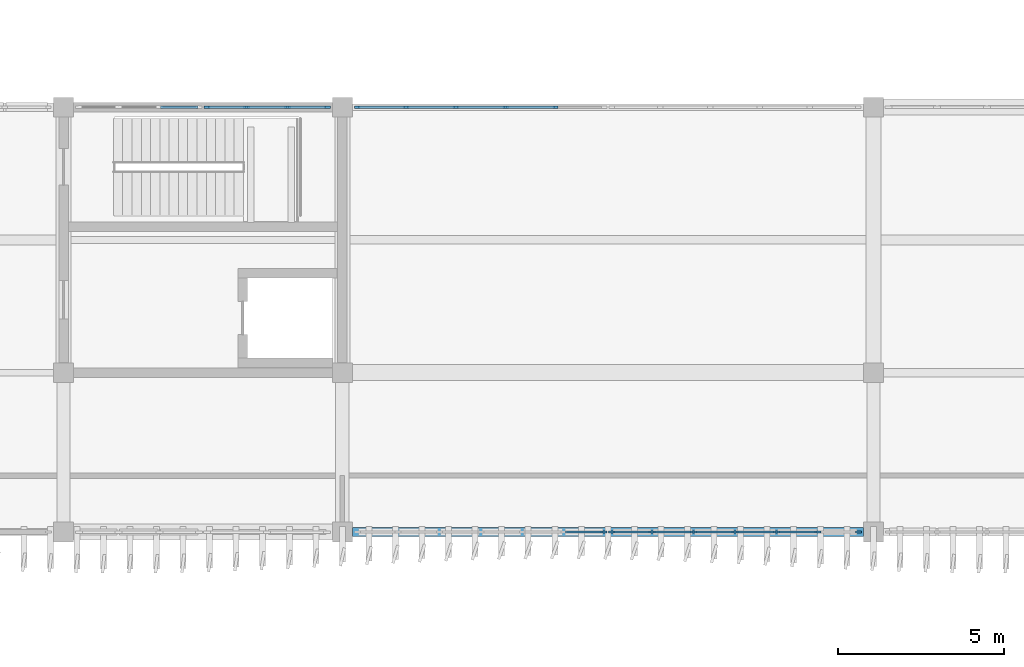
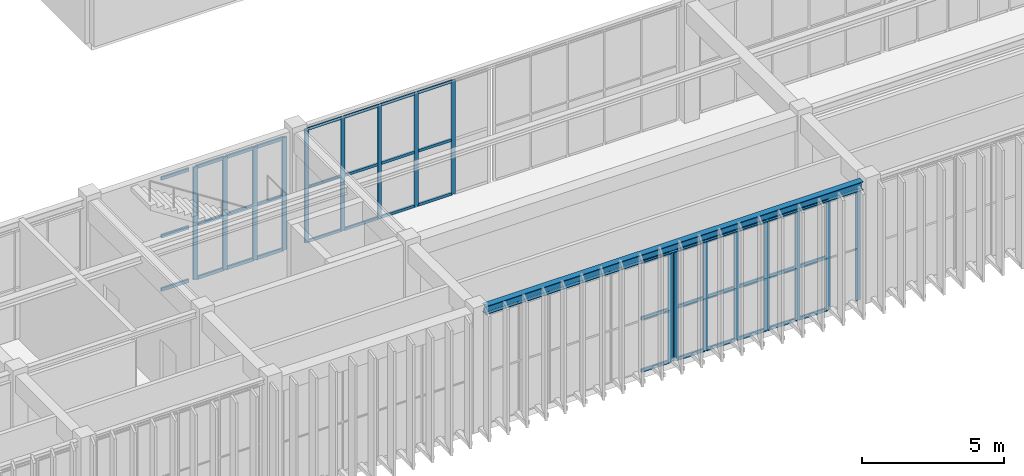
# One storey, part 15 of 64: 59 members, 1 beam, 5 elements without a shape of their own.
"""IFC4 building model written with IfcOpenShell, lengths in metres."""

from ifc_helpers import new_model, si_unit, direction, frame, origin, origin_2d, place, context, subcontext, project, spatial, rectangle, i_section, extrude, material, layer, layer_set, material_profile, profile_set, type_object, element, aggregate, save


model = new_model("IFC4")

# Units and contexts
model_context = context("Model", 3, precision=1e-05, world=origin(), true_north=direction((0.0, 1.0)))
body_context = subcontext(model_context, "Body", "Model", "MODEL_VIEW")
ifc_project = project(units=[si_unit("LENGTHUNIT", "METRE"), si_unit("AREAUNIT", "SQUARE_METRE"), si_unit("VOLUMEUNIT", "CUBIC_METRE"), si_unit("PLANEANGLEUNIT", "RADIAN"), si_unit("MASSUNIT", "GRAM", prefix="KILO")], contexts=[model_context])

# Site, building, storey
site_placement = place(None, origin())
site = spatial("IfcSite", under=ifc_project, at=site_placement, CompositionType="ELEMENT")
building_placement = place(site_placement, origin())
building = spatial("IfcBuilding", under=site, at=building_placement, Name="Cinchona Park Media Centre", CompositionType="ELEMENT")
storey_placement = place(building_placement, frame((0.0, 0.0, 10.199951171875)))
storey = spatial("IfcBuildingStorey", under=building, at=storey_placement, Name="L02", CompositionType="ELEMENT", Elevation=10.199951171875)

# Beam
ifc_material_1 = material(Name="Steel S355", Category="steel")
ifc_material_profile_1 = material_profile(ifc_material_1, i_section(OverallWidth=0.257080078125, OverallDepth=0.363037109375, WebThickness=0.012939453125, FlangeThickness=0.021728515625, at=origin_2d()), Name="W360X122")
ifc_profile_set_1 = profile_set([ifc_material_profile_1], Name="Steel S355")
beam_type = type_object("IfcBeamType", Name="BEAM-B08-W360X122", PredefinedType="BEAM", material=ifc_profile_set_1)
beam_placement = place(storey_placement, frame((95.10009765625, 74.800048828125, 4.978515625), z_axis=(1.0, 0.0, 0.0), x_axis=(0.0, 1.0, 0.0)))
element("IfcBeam", 1, at=beam_placement, inside=storey, type_object=beam_type, Name="Beam B08 L02", PredefinedType="BEAM", context=body_context, shape_type="SweptSolid", body=[
    extrude(i_section(OverallWidth=0.257080078125, OverallDepth=0.363037109375, WebThickness=0.012939453125, FlangeThickness=0.021728515625, at=origin_2d()), origin(), (0.0, 0.0, 1.0), 15.39990234375),
])

# Curtain wall, members
ifc_material_2 = material(Name="Aluminium Curtain Wall Framing", Category="aluminium")
ifc_layer_1 = layer(ifc_material_2, 0.27001953125)
ifc_layer_set_1 = layer_set([ifc_layer_1], Name="Aluminium Curtain Wall Framing")
curtain_wall_type_1 = type_object("IfcCurtainWallType", Name="CW-CW07", PredefinedType="USERDEFINED", material=ifc_layer_set_1)
curtain_wall_1_placement = place(storey_placement, origin())
curtain_wall_1 = element("IfcCurtainWall", 2, at=curtain_wall_1_placement, inside=storey, type_object=curtain_wall_type_1, Name="Curtain Wall CW07 L02", ObjectType="UNITISED CURTAIN WALL", PredefinedType="USERDEFINED")
ifc_material_3 = material(Name="Anodised Aluminium Alloy 6063-T6", Category="aluminium")
ifc_material_profile_2 = material_profile(ifc_material_3, rectangle(XDim=0.06494140625, YDim=0.159912109375, at=origin_2d()), Name="MUL-65X160")
ifc_profile_set_2 = profile_set([ifc_material_profile_2], Name="Anodised Aluminium Alloy 6063-T6")
member_type_1 = type_object("IfcMemberType", Name="MULLION-MUL01", PredefinedType="MULLION", material=ifc_profile_set_2)
member_1_placement = place(storey_placement, frame((95.25244140625, 87.60009765625, 0.050048828125), z_axis=(0.0, 0.0, 1.0), x_axis=(0.0, 1.0, 0.0)))
member_1 = element("IfcMember", 3, at=member_1_placement, type_object=member_type_1, Name="CW07 mullion 1", PredefinedType="MULLION", context=body_context, shape_type="SweptSolid", body=[
    extrude(rectangle(XDim=0.06494140625, YDim=0.159912109375, at=origin_2d()), origin(), (0.0, 0.0, 1.0), 4.906982421875),
])
member_2_placement = place(storey_placement, frame((96.719970703125, 87.60009765625, 0.050048828125), z_axis=(0.0, 0.0, 1.0), x_axis=(0.0, 1.0, 0.0)))
member_2 = element("IfcMember", 4, at=member_2_placement, type_object=member_type_1, Name="CW07 mullion 2", PredefinedType="MULLION", context=body_context, shape_type="SweptSolid", body=[
    extrude(rectangle(XDim=0.06494140625, YDim=0.159912109375, at=origin_2d()), origin(), (0.0, 0.0, 1.0), 4.906982421875),
])
member_3_placement = place(storey_placement, frame((98.219970703125, 87.60009765625, 0.050048828125), z_axis=(0.0, 0.0, 1.0), x_axis=(0.0, 1.0, 0.0)))
member_3 = element("IfcMember", 5, at=member_3_placement, type_object=member_type_1, Name="CW07 mullion 3", PredefinedType="MULLION", context=body_context, shape_type="SweptSolid", body=[
    extrude(rectangle(XDim=0.06494140625, YDim=0.159912109375, at=origin_2d()), origin(), (0.0, 0.0, 1.0), 4.906982421875),
])
member_4_placement = place(storey_placement, frame((99.719970703125, 87.60009765625, 0.050048828125), z_axis=(0.0, 0.0, 1.0), x_axis=(0.0, 1.0, 0.0)))
member_4 = element("IfcMember", 6, at=member_4_placement, type_object=member_type_1, Name="CW07 mullion 4", PredefinedType="MULLION", context=body_context, shape_type="SweptSolid", body=[
    extrude(rectangle(XDim=0.06494140625, YDim=0.159912109375, at=origin_2d()), origin(), (0.0, 0.0, 1.0), 4.906982421875),
])
member_5_placement = place(storey_placement, frame((101.219970703125, 87.60009765625, 0.050048828125), z_axis=(0.0, 0.0, 1.0), x_axis=(0.0, 1.0, 0.0)))
member_5 = element("IfcMember", 7, at=member_5_placement, type_object=member_type_1, Name="CW07 mullion 5", PredefinedType="MULLION", context=body_context, shape_type="SweptSolid", body=[
    extrude(rectangle(XDim=0.06494140625, YDim=0.159912109375, at=origin_2d()), origin(), (0.0, 0.0, 1.0), 4.906982421875),
])

ifc_material_4 = material(Name="Aluminium Curtain Wall Framing", Category="aluminium")
ifc_layer_2 = layer(ifc_material_4, 0.2548828125)
ifc_layer_set_2 = layer_set([ifc_layer_2], Name="Aluminium Curtain Wall Framing")
curtain_wall_type_2 = type_object("IfcCurtainWallType", Name="CW-CW06", PredefinedType="USERDEFINED", material=ifc_layer_set_2)
curtain_wall_2_placement = place(storey_placement, origin())
curtain_wall_2 = element("IfcCurtainWall", 8, at=curtain_wall_2_placement, inside=storey, type_object=curtain_wall_type_2, Name="Curtain Wall CW06 L02", ObjectType="UNITISED CURTAIN WALL", PredefinedType="USERDEFINED")
ifc_material_5 = material(Name="Anodised Aluminium Alloy 6063-T6", Category="aluminium")
ifc_material_profile_3 = material_profile(ifc_material_5, rectangle(XDim=0.070068359375, YDim=0.179931640625, at=origin_2d()), Name="MUL-70X180")
ifc_profile_set_3 = profile_set([ifc_material_profile_3], Name="Anodised Aluminium Alloy 6063-T6")
member_type_2 = type_object("IfcMemberType", Name="MULLION-MUL02", PredefinedType="MULLION", material=ifc_profile_set_3)
member_6_placement = place(storey_placement, frame((90.715087890625, 87.60009765625, 0.050048828125), z_axis=(0.0, 0.0, 1.0), x_axis=(0.0, 1.0, 0.0)))
member_6 = element("IfcMember", 9, at=member_6_placement, type_object=member_type_2, Name="CW06 mullion 1", PredefinedType="MULLION", context=body_context, shape_type="SweptSolid", body=[
    extrude(rectangle(XDim=0.070068359375, YDim=0.179931640625, at=origin_2d()), origin(), (0.0, 0.0, 1.0), 4.85791015625),
])
member_7_placement = place(storey_placement, frame((91.913330078125, 87.60009765625, 0.050048828125), z_axis=(0.0, 0.0, 1.0), x_axis=(0.0, 1.0, 0.0)))
member_7 = element("IfcMember", 10, at=member_7_placement, type_object=member_type_2, Name="CW06 mullion 2", PredefinedType="MULLION", context=body_context, shape_type="SweptSolid", body=[
    extrude(rectangle(XDim=0.070068359375, YDim=0.179931640625, at=origin_2d()), origin(), (0.0, 0.0, 1.0), 4.85791015625),
])
member_8_placement = place(storey_placement, frame((93.146728515625, 87.60009765625, 0.050048828125), z_axis=(0.0, 0.0, 1.0), x_axis=(0.0, 1.0, 0.0)))
member_8 = element("IfcMember", 11, at=member_8_placement, type_object=member_type_2, Name="CW06 mullion 3", PredefinedType="MULLION", context=body_context, shape_type="SweptSolid", body=[
    extrude(rectangle(XDim=0.070068359375, YDim=0.179931640625, at=origin_2d()), origin(), (0.0, 0.0, 1.0), 4.85791015625),
])
member_9_placement = place(storey_placement, frame((94.344970703125, 87.60009765625, 0.050048828125), z_axis=(0.0, 0.0, 1.0), x_axis=(0.0, 1.0, 0.0)))
member_9 = element("IfcMember", 12, at=member_9_placement, type_object=member_type_2, Name="CW06 mullion 4", PredefinedType="MULLION", context=body_context, shape_type="SweptSolid", body=[
    extrude(rectangle(XDim=0.070068359375, YDim=0.179931640625, at=origin_2d()), origin(), (0.0, 0.0, 1.0), 4.85791015625),
])

ifc_material_6 = material(Name="Aluminium Curtain Wall Framing", Category="aluminium")
ifc_layer_3 = layer(ifc_material_6, 0.195068359375)
ifc_layer_set_3 = layer_set([ifc_layer_3], Name="Aluminium Curtain Wall Framing")
curtain_wall_type_3 = type_object("IfcCurtainWallType", Name="CW-CW02", PredefinedType="USERDEFINED", material=ifc_layer_set_3)
curtain_wall_3_placement = place(storey_placement, origin())
curtain_wall_3 = element("IfcCurtainWall", 13, at=curtain_wall_3_placement, inside=storey, type_object=curtain_wall_type_3, Name="Curtain Wall CW02 L02", ObjectType="UNITISED CURTAIN WALL", PredefinedType="USERDEFINED")
member_10_placement = place(storey_placement, frame((110.344970703125, 74.800048828125, 0.050048828125), z_axis=(0.0, 0.0, 1.0), x_axis=(0.0, -1.0, 0.0)))
member_10 = element("IfcMember", 14, at=member_10_placement, type_object=member_type_2, Name="CW02 mullion 1", PredefinedType="MULLION", context=body_context, shape_type="SweptSolid", body=[
    extrude(rectangle(XDim=0.070068359375, YDim=0.179931640625, at=origin_2d()), origin(), (0.0, 0.0, 1.0), 4.7470703125),
])
member_11_placement = place(storey_placement, frame((109.1298828125, 74.800048828125, 0.050048828125), z_axis=(0.0, 0.0, 1.0), x_axis=(0.0, -1.0, 0.0)))
member_11 = element("IfcMember", 15, at=member_11_placement, type_object=member_type_2, Name="CW02 mullion 2", PredefinedType="MULLION", context=body_context, shape_type="SweptSolid", body=[
    extrude(rectangle(XDim=0.070068359375, YDim=0.179931640625, at=origin_2d()), origin(), (0.0, 0.0, 1.0), 4.7470703125),
])
member_12_placement = place(storey_placement, frame((107.8798828125, 74.800048828125, 0.050048828125), z_axis=(0.0, 0.0, 1.0), x_axis=(0.0, -1.0, 0.0)))
member_12 = element("IfcMember", 16, at=member_12_placement, type_object=member_type_2, Name="CW02 mullion 3", PredefinedType="MULLION", context=body_context, shape_type="SweptSolid", body=[
    extrude(rectangle(XDim=0.070068359375, YDim=0.179931640625, at=origin_2d()), origin(), (0.0, 0.0, 1.0), 4.7470703125),
])
member_13_placement = place(storey_placement, frame((106.6298828125, 74.800048828125, 0.050048828125), z_axis=(0.0, 0.0, 1.0), x_axis=(0.0, -1.0, 0.0)))
member_13 = element("IfcMember", 17, at=member_13_placement, type_object=member_type_2, Name="CW02 mullion 4", PredefinedType="MULLION", context=body_context, shape_type="SweptSolid", body=[
    extrude(rectangle(XDim=0.070068359375, YDim=0.179931640625, at=origin_2d()), origin(), (0.0, 0.0, 1.0), 4.7470703125),
])
member_14_placement = place(storey_placement, frame((105.3798828125, 74.800048828125, 0.050048828125), z_axis=(0.0, 0.0, 1.0), x_axis=(0.0, -1.0, 0.0)))
member_14 = element("IfcMember", 18, at=member_14_placement, type_object=member_type_2, Name="CW02 mullion 5", PredefinedType="MULLION", context=body_context, shape_type="SweptSolid", body=[
    extrude(rectangle(XDim=0.070068359375, YDim=0.179931640625, at=origin_2d()), origin(), (0.0, 0.0, 1.0), 4.7470703125),
])
member_15_placement = place(storey_placement, frame((104.1298828125, 74.800048828125, 0.050048828125), z_axis=(0.0, 0.0, 1.0), x_axis=(0.0, -1.0, 0.0)))
member_15 = element("IfcMember", 19, at=member_15_placement, type_object=member_type_2, Name="CW02 mullion 6", PredefinedType="MULLION", context=body_context, shape_type="SweptSolid", body=[
    extrude(rectangle(XDim=0.070068359375, YDim=0.179931640625, at=origin_2d()), origin(), (0.0, 0.0, 1.0), 4.7470703125),
])
member_16_placement = place(storey_placement, frame((102.9150390625, 74.800048828125, 0.050048828125), z_axis=(0.0, 0.0, 1.0), x_axis=(0.0, -1.0, 0.0)))
member_16 = element("IfcMember", 20, at=member_16_placement, type_object=member_type_2, Name="CW02 mullion 7", PredefinedType="MULLION", context=body_context, shape_type="SweptSolid", body=[
    extrude(rectangle(XDim=0.070068359375, YDim=0.179931640625, at=origin_2d()), origin(), (0.0, 0.0, 1.0), 4.7470703125),
])

# Curtain wall, member
ifc_material_7 = material(Name="Aluminium Curtain Wall Framing", Category="aluminium")
ifc_layer_4 = layer(ifc_material_7, 0.2099609375)
ifc_layer_set_4 = layer_set([ifc_layer_4], Name="Aluminium Curtain Wall Framing")
curtain_wall_type_4 = type_object("IfcCurtainWallType", Name="CW-CW03", PredefinedType="USERDEFINED", material=ifc_layer_set_4)
curtain_wall_4_placement = place(storey_placement, origin())
curtain_wall_4 = element("IfcCurtainWall", 21, at=curtain_wall_4_placement, inside=storey, type_object=curtain_wall_type_4, Name="Curtain Wall CW03 L02", ObjectType="UNITISED CURTAIN WALL", PredefinedType="USERDEFINED")
member_17_placement = place(storey_placement, frame((102.68505859375, 74.800048828125, 0.050048828125), z_axis=(0.0, 0.0, 1.0), x_axis=(0.0, -1.0, 0.0)))
member_17 = element("IfcMember", 22, at=member_17_placement, type_object=member_type_2, Name="CW03 mullion 1", PredefinedType="MULLION", context=body_context, shape_type="SweptSolid", body=[
    extrude(rectangle(XDim=0.070068359375, YDim=0.179931640625, at=origin_2d()), origin(), (0.0, 0.0, 1.0), 4.7470703125),
])

# Member
ifc_material_8 = material(Name="Anodised Aluminium Alloy 6063-T6", Category="aluminium")
ifc_material_profile_4 = material_profile(ifc_material_8, rectangle(XDim=0.06494140625, YDim=0.1201171875, at=origin_2d()), Name="TRN-65X120")
ifc_profile_set_4 = profile_set([ifc_material_profile_4], Name="Anodised Aluminium Alloy 6063-T6")
member_type_3 = type_object("IfcMemberType", Name="TRANSOM-TRN01", PredefinedType="USERDEFINED", material=ifc_profile_set_4)
member_18_placement = place(storey_placement, frame((95.284912109375, 87.60009765625, 0.08251953125), z_axis=(1.0, 0.0, 0.0), x_axis=(0.0, 1.0, 0.0)))
member_18 = element("IfcMember", 23, at=member_18_placement, type_object=member_type_3, Name="CW07 transom 1.1", ObjectType="TRANSOM", PredefinedType="USERDEFINED", context=body_context, shape_type="SweptSolid", body=[
    extrude(rectangle(XDim=0.06494140625, YDim=0.1201171875, at=origin_2d()), origin(), (0.0, 0.0, 1.0), 1.402587890625),
])

member_19_placement = place(storey_placement, frame((95.284912109375, 87.60009765625, 2.405029296875), z_axis=(1.0, 0.0, 0.0), x_axis=(0.0, 1.0, 0.0)))
member_19 = element("IfcMember", 24, at=member_19_placement, type_object=member_type_3, Name="CW07 transom 1.2", ObjectType="TRANSOM", PredefinedType="USERDEFINED", context=body_context, shape_type="SweptSolid", body=[
    extrude(rectangle(XDim=0.06494140625, YDim=0.1201171875, at=origin_2d()), origin(), (0.0, 0.0, 1.0), 1.402587890625),
])

member_20_placement = place(storey_placement, frame((95.284912109375, 87.60009765625, 4.924560546875), z_axis=(1.0, 0.0, 0.0), x_axis=(0.0, 1.0, 0.0)))
member_20 = element("IfcMember", 25, at=member_20_placement, type_object=member_type_3, Name="CW07 transom 1.3", ObjectType="TRANSOM", PredefinedType="USERDEFINED", context=body_context, shape_type="SweptSolid", body=[
    extrude(rectangle(XDim=0.06494140625, YDim=0.1201171875, at=origin_2d()), origin(), (0.0, 0.0, 1.0), 1.402587890625),
])

member_21_placement = place(storey_placement, frame((96.75244140625, 87.60009765625, 0.08251953125), z_axis=(1.0, 0.0, 0.0), x_axis=(0.0, 1.0, 0.0)))
member_21 = element("IfcMember", 26, at=member_21_placement, type_object=member_type_3, Name="CW07 transom 2.1", ObjectType="TRANSOM", PredefinedType="USERDEFINED", context=body_context, shape_type="SweptSolid", body=[
    extrude(rectangle(XDim=0.06494140625, YDim=0.1201171875, at=origin_2d()), origin(), (0.0, 0.0, 1.0), 1.43505859375),
])

member_22_placement = place(storey_placement, frame((96.75244140625, 87.60009765625, 2.405029296875), z_axis=(1.0, 0.0, 0.0), x_axis=(0.0, 1.0, 0.0)))
member_22 = element("IfcMember", 27, at=member_22_placement, type_object=member_type_3, Name="CW07 transom 2.2", ObjectType="TRANSOM", PredefinedType="USERDEFINED", context=body_context, shape_type="SweptSolid", body=[
    extrude(rectangle(XDim=0.06494140625, YDim=0.1201171875, at=origin_2d()), origin(), (0.0, 0.0, 1.0), 1.43505859375),
])

member_23_placement = place(storey_placement, frame((96.75244140625, 87.60009765625, 4.924560546875), z_axis=(1.0, 0.0, 0.0), x_axis=(0.0, 1.0, 0.0)))
member_23 = element("IfcMember", 28, at=member_23_placement, type_object=member_type_3, Name="CW07 transom 2.3", ObjectType="TRANSOM", PredefinedType="USERDEFINED", context=body_context, shape_type="SweptSolid", body=[
    extrude(rectangle(XDim=0.06494140625, YDim=0.1201171875, at=origin_2d()), origin(), (0.0, 0.0, 1.0), 1.43505859375),
])

member_24_placement = place(storey_placement, frame((98.25244140625, 87.60009765625, 0.08251953125), z_axis=(1.0, 0.0, 0.0), x_axis=(0.0, 1.0, 0.0)))
member_24 = element("IfcMember", 29, at=member_24_placement, type_object=member_type_3, Name="CW07 transom 3.1", ObjectType="TRANSOM", PredefinedType="USERDEFINED", context=body_context, shape_type="SweptSolid", body=[
    extrude(rectangle(XDim=0.06494140625, YDim=0.1201171875, at=origin_2d()), origin(), (0.0, 0.0, 1.0), 1.43505859375),
])

member_25_placement = place(storey_placement, frame((98.25244140625, 87.60009765625, 2.405029296875), z_axis=(1.0, 0.0, 0.0), x_axis=(0.0, 1.0, 0.0)))
member_25 = element("IfcMember", 30, at=member_25_placement, type_object=member_type_3, Name="CW07 transom 3.2", ObjectType="TRANSOM", PredefinedType="USERDEFINED", context=body_context, shape_type="SweptSolid", body=[
    extrude(rectangle(XDim=0.06494140625, YDim=0.1201171875, at=origin_2d()), origin(), (0.0, 0.0, 1.0), 1.43505859375),
])

member_26_placement = place(storey_placement, frame((98.25244140625, 87.60009765625, 4.924560546875), z_axis=(1.0, 0.0, 0.0), x_axis=(0.0, 1.0, 0.0)))
member_26 = element("IfcMember", 31, at=member_26_placement, type_object=member_type_3, Name="CW07 transom 3.3", ObjectType="TRANSOM", PredefinedType="USERDEFINED", context=body_context, shape_type="SweptSolid", body=[
    extrude(rectangle(XDim=0.06494140625, YDim=0.1201171875, at=origin_2d()), origin(), (0.0, 0.0, 1.0), 1.43505859375),
])

member_27_placement = place(storey_placement, frame((99.75244140625, 87.60009765625, 0.08251953125), z_axis=(1.0, 0.0, 0.0), x_axis=(0.0, 1.0, 0.0)))
member_27 = element("IfcMember", 32, at=member_27_placement, type_object=member_type_3, Name="CW07 transom 4.1", ObjectType="TRANSOM", PredefinedType="USERDEFINED", context=body_context, shape_type="SweptSolid", body=[
    extrude(rectangle(XDim=0.06494140625, YDim=0.1201171875, at=origin_2d()), origin(), (0.0, 0.0, 1.0), 1.43505859375),
])

member_28_placement = place(storey_placement, frame((99.75244140625, 87.60009765625, 2.405029296875), z_axis=(1.0, 0.0, 0.0), x_axis=(0.0, 1.0, 0.0)))
member_28 = element("IfcMember", 33, at=member_28_placement, type_object=member_type_3, Name="CW07 transom 4.2", ObjectType="TRANSOM", PredefinedType="USERDEFINED", context=body_context, shape_type="SweptSolid", body=[
    extrude(rectangle(XDim=0.06494140625, YDim=0.1201171875, at=origin_2d()), origin(), (0.0, 0.0, 1.0), 1.43505859375),
])

member_29_placement = place(storey_placement, frame((99.75244140625, 87.60009765625, 4.924560546875), z_axis=(1.0, 0.0, 0.0), x_axis=(0.0, 1.0, 0.0)))
member_29 = element("IfcMember", 34, at=member_29_placement, type_object=member_type_3, Name="CW07 transom 4.3", ObjectType="TRANSOM", PredefinedType="USERDEFINED", context=body_context, shape_type="SweptSolid", body=[
    extrude(rectangle(XDim=0.06494140625, YDim=0.1201171875, at=origin_2d()), origin(), (0.0, 0.0, 1.0), 1.43505859375),
])

aggregate(curtain_wall_1, [member_1, member_2, member_3, member_4, member_5, member_18, member_19, member_20, member_21, member_22, member_23, member_24, member_25, member_26, member_27, member_28, member_29])

# Curtain wall, members
ifc_material_9 = material(Name="Aluminium Curtain Wall Framing", Category="aluminium")
ifc_layer_5 = layer(ifc_material_9, 0.239990234375)
ifc_layer_set_5 = layer_set([ifc_layer_5], Name="Aluminium Curtain Wall Framing")
curtain_wall_type_5 = type_object("IfcCurtainWallType", Name="CW-CW05", PredefinedType="USERDEFINED", material=ifc_layer_set_5)
curtain_wall_5_placement = place(storey_placement, origin())
curtain_wall_5 = element("IfcCurtainWall", 35, at=curtain_wall_5_placement, inside=storey, type_object=curtain_wall_type_5, Name="Curtain Wall CW05 L02", ObjectType="UNITISED CURTAIN WALL", PredefinedType="USERDEFINED")
ifc_material_10 = material(Name="Anodised Aluminium Alloy 6063-T6", Category="aluminium")
ifc_material_profile_5 = material_profile(ifc_material_10, rectangle(XDim=0.070068359375, YDim=0.139892578125, at=origin_2d()), Name="TRN-70X140")
ifc_profile_set_5 = profile_set([ifc_material_profile_5], Name="Anodised Aluminium Alloy 6063-T6")
member_type_4 = type_object("IfcMemberType", Name="TRANSOM-TRN02", PredefinedType="USERDEFINED", material=ifc_profile_set_5)
member_30_placement = place(storey_placement, frame((89.32177734375, 87.60009765625, 0.0849609375), z_axis=(1.0, 0.0, 0.0), x_axis=(0.0, 1.0, 0.0)))
member_30 = element("IfcMember", 36, at=member_30_placement, type_object=member_type_4, Name="CW05 transom 3.1", ObjectType="TRANSOM", PredefinedType="USERDEFINED", context=body_context, shape_type="SweptSolid", body=[
    extrude(rectangle(XDim=0.070068359375, YDim=0.139892578125, at=origin_2d()), origin(), (0.0, 0.0, 1.0), 1.128173828125),
])
member_31_placement = place(storey_placement, frame((89.32177734375, 87.60009765625, 2.382080078125), z_axis=(1.0, 0.0, 0.0), x_axis=(0.0, 1.0, 0.0)))
member_31 = element("IfcMember", 37, at=member_31_placement, type_object=member_type_4, Name="CW05 transom 3.2", ObjectType="TRANSOM", PredefinedType="USERDEFINED", context=body_context, shape_type="SweptSolid", body=[
    extrude(rectangle(XDim=0.070068359375, YDim=0.139892578125, at=origin_2d()), origin(), (0.0, 0.0, 1.0), 1.128173828125),
])
member_32_placement = place(storey_placement, frame((89.32177734375, 87.60009765625, 4.873046875), z_axis=(1.0, 0.0, 0.0), x_axis=(0.0, 1.0, 0.0)))
member_32 = element("IfcMember", 38, at=member_32_placement, type_object=member_type_4, Name="CW05 transom 3.3", ObjectType="TRANSOM", PredefinedType="USERDEFINED", context=body_context, shape_type="SweptSolid", body=[
    extrude(rectangle(XDim=0.070068359375, YDim=0.139892578125, at=origin_2d()), origin(), (0.0, 0.0, 1.0), 1.128173828125),
])
aggregate(curtain_wall_5, [member_30, member_31, member_32])

# Member
member_33_placement = place(storey_placement, frame((90.75, 87.60009765625, 0.0849609375), z_axis=(1.0, 0.0, 0.0), x_axis=(0.0, 1.0, 0.0)))
member_33 = element("IfcMember", 39, at=member_33_placement, type_object=member_type_4, Name="CW06 transom 1.1", ObjectType="TRANSOM", PredefinedType="USERDEFINED", context=body_context, shape_type="SweptSolid", body=[
    extrude(rectangle(XDim=0.070068359375, YDim=0.139892578125, at=origin_2d()), origin(), (0.0, 0.0, 1.0), 1.12841796875),
])

member_34_placement = place(storey_placement, frame((90.75, 87.60009765625, 2.382080078125), z_axis=(1.0, 0.0, 0.0), x_axis=(0.0, 1.0, 0.0)))
member_34 = element("IfcMember", 40, at=member_34_placement, type_object=member_type_4, Name="CW06 transom 1.2", ObjectType="TRANSOM", PredefinedType="USERDEFINED", context=body_context, shape_type="SweptSolid", body=[
    extrude(rectangle(XDim=0.070068359375, YDim=0.139892578125, at=origin_2d()), origin(), (0.0, 0.0, 1.0), 1.12841796875),
])

member_35_placement = place(storey_placement, frame((90.75, 87.60009765625, 4.873046875), z_axis=(1.0, 0.0, 0.0), x_axis=(0.0, 1.0, 0.0)))
member_35 = element("IfcMember", 41, at=member_35_placement, type_object=member_type_4, Name="CW06 transom 1.3", ObjectType="TRANSOM", PredefinedType="USERDEFINED", context=body_context, shape_type="SweptSolid", body=[
    extrude(rectangle(XDim=0.070068359375, YDim=0.139892578125, at=origin_2d()), origin(), (0.0, 0.0, 1.0), 1.12841796875),
])

member_36_placement = place(storey_placement, frame((91.9482421875, 87.60009765625, 0.0849609375), z_axis=(1.0, 0.0, 0.0), x_axis=(0.0, 1.0, 0.0)))
member_36 = element("IfcMember", 42, at=member_36_placement, type_object=member_type_4, Name="CW06 transom 2.1", ObjectType="TRANSOM", PredefinedType="USERDEFINED", context=body_context, shape_type="SweptSolid", body=[
    extrude(rectangle(XDim=0.070068359375, YDim=0.139892578125, at=origin_2d()), origin(), (0.0, 0.0, 1.0), 1.163330078125),
])

member_37_placement = place(storey_placement, frame((91.9482421875, 87.60009765625, 2.382080078125), z_axis=(1.0, 0.0, 0.0), x_axis=(0.0, 1.0, 0.0)))
member_37 = element("IfcMember", 43, at=member_37_placement, type_object=member_type_4, Name="CW06 transom 2.2", ObjectType="TRANSOM", PredefinedType="USERDEFINED", context=body_context, shape_type="SweptSolid", body=[
    extrude(rectangle(XDim=0.070068359375, YDim=0.139892578125, at=origin_2d()), origin(), (0.0, 0.0, 1.0), 1.163330078125),
])

member_38_placement = place(storey_placement, frame((91.9482421875, 87.60009765625, 4.873046875), z_axis=(1.0, 0.0, 0.0), x_axis=(0.0, 1.0, 0.0)))
member_38 = element("IfcMember", 44, at=member_38_placement, type_object=member_type_4, Name="CW06 transom 2.3", ObjectType="TRANSOM", PredefinedType="USERDEFINED", context=body_context, shape_type="SweptSolid", body=[
    extrude(rectangle(XDim=0.070068359375, YDim=0.139892578125, at=origin_2d()), origin(), (0.0, 0.0, 1.0), 1.163330078125),
])

member_39_placement = place(storey_placement, frame((93.181640625, 87.60009765625, 0.0849609375), z_axis=(1.0, 0.0, 0.0), x_axis=(0.0, 1.0, 0.0)))
member_39 = element("IfcMember", 45, at=member_39_placement, type_object=member_type_4, Name="CW06 transom 3.1", ObjectType="TRANSOM", PredefinedType="USERDEFINED", context=body_context, shape_type="SweptSolid", body=[
    extrude(rectangle(XDim=0.070068359375, YDim=0.139892578125, at=origin_2d()), origin(), (0.0, 0.0, 1.0), 1.12841796875),
])

member_40_placement = place(storey_placement, frame((93.181640625, 87.60009765625, 2.382080078125), z_axis=(1.0, 0.0, 0.0), x_axis=(0.0, 1.0, 0.0)))
member_40 = element("IfcMember", 46, at=member_40_placement, type_object=member_type_4, Name="CW06 transom 3.2", ObjectType="TRANSOM", PredefinedType="USERDEFINED", context=body_context, shape_type="SweptSolid", body=[
    extrude(rectangle(XDim=0.070068359375, YDim=0.139892578125, at=origin_2d()), origin(), (0.0, 0.0, 1.0), 1.12841796875),
])

member_41_placement = place(storey_placement, frame((93.181640625, 87.60009765625, 4.873046875), z_axis=(1.0, 0.0, 0.0), x_axis=(0.0, 1.0, 0.0)))
member_41 = element("IfcMember", 47, at=member_41_placement, type_object=member_type_4, Name="CW06 transom 3.3", ObjectType="TRANSOM", PredefinedType="USERDEFINED", context=body_context, shape_type="SweptSolid", body=[
    extrude(rectangle(XDim=0.070068359375, YDim=0.139892578125, at=origin_2d()), origin(), (0.0, 0.0, 1.0), 1.12841796875),
])

aggregate(curtain_wall_2, [member_6, member_7, member_8, member_9, member_33, member_34, member_35, member_36, member_37, member_38, member_39, member_40, member_41])

member_42_placement = place(storey_placement, frame((109.094970703125, 74.800048828125, 0.0849609375), z_axis=(-1.0, 0.0, 0.0), x_axis=(0.0, -1.0, 0.0)))
member_42 = element("IfcMember", 48, at=member_42_placement, type_object=member_type_4, Name="CW02 transom 2.1", ObjectType="TRANSOM", PredefinedType="USERDEFINED", context=body_context, shape_type="SweptSolid", body=[
    extrude(rectangle(XDim=0.070068359375, YDim=0.139892578125, at=origin_2d()), origin(), (0.0, 0.0, 1.0), 1.179931640625),
])

member_43_placement = place(storey_placement, frame((109.094970703125, 74.800048828125, 2.3291015625), z_axis=(-1.0, 0.0, 0.0), x_axis=(0.0, -1.0, 0.0)))
member_43 = element("IfcMember", 49, at=member_43_placement, type_object=member_type_4, Name="CW02 transom 2.2", ObjectType="TRANSOM", PredefinedType="USERDEFINED", context=body_context, shape_type="SweptSolid", body=[
    extrude(rectangle(XDim=0.070068359375, YDim=0.139892578125, at=origin_2d()), origin(), (0.0, 0.0, 1.0), 1.179931640625),
])

member_44_placement = place(storey_placement, frame((109.094970703125, 74.800048828125, 4.761962890625), z_axis=(-1.0, 0.0, 0.0), x_axis=(0.0, -1.0, 0.0)))
member_44 = element("IfcMember", 50, at=member_44_placement, type_object=member_type_4, Name="CW02 transom 2.3", ObjectType="TRANSOM", PredefinedType="USERDEFINED", context=body_context, shape_type="SweptSolid", body=[
    extrude(rectangle(XDim=0.070068359375, YDim=0.139892578125, at=origin_2d()), origin(), (0.0, 0.0, 1.0), 1.179931640625),
])

member_45_placement = place(storey_placement, frame((107.844970703125, 74.800048828125, 0.0849609375), z_axis=(-1.0, 0.0, 0.0), x_axis=(0.0, -1.0, 0.0)))
member_45 = element("IfcMember", 51, at=member_45_placement, type_object=member_type_4, Name="CW02 transom 3.1", ObjectType="TRANSOM", PredefinedType="USERDEFINED", context=body_context, shape_type="SweptSolid", body=[
    extrude(rectangle(XDim=0.070068359375, YDim=0.139892578125, at=origin_2d()), origin(), (0.0, 0.0, 1.0), 1.179931640625),
])

member_46_placement = place(storey_placement, frame((107.844970703125, 74.800048828125, 2.3291015625), z_axis=(-1.0, 0.0, 0.0), x_axis=(0.0, -1.0, 0.0)))
member_46 = element("IfcMember", 52, at=member_46_placement, type_object=member_type_4, Name="CW02 transom 3.2", ObjectType="TRANSOM", PredefinedType="USERDEFINED", context=body_context, shape_type="SweptSolid", body=[
    extrude(rectangle(XDim=0.070068359375, YDim=0.139892578125, at=origin_2d()), origin(), (0.0, 0.0, 1.0), 1.179931640625),
])

member_47_placement = place(storey_placement, frame((107.844970703125, 74.800048828125, 4.761962890625), z_axis=(-1.0, 0.0, 0.0), x_axis=(0.0, -1.0, 0.0)))
member_47 = element("IfcMember", 53, at=member_47_placement, type_object=member_type_4, Name="CW02 transom 3.3", ObjectType="TRANSOM", PredefinedType="USERDEFINED", context=body_context, shape_type="SweptSolid", body=[
    extrude(rectangle(XDim=0.070068359375, YDim=0.139892578125, at=origin_2d()), origin(), (0.0, 0.0, 1.0), 1.179931640625),
])

member_48_placement = place(storey_placement, frame((106.594970703125, 74.800048828125, 0.0849609375), z_axis=(-1.0, 0.0, 0.0), x_axis=(0.0, -1.0, 0.0)))
member_48 = element("IfcMember", 54, at=member_48_placement, type_object=member_type_4, Name="CW02 transom 4.1", ObjectType="TRANSOM", PredefinedType="USERDEFINED", context=body_context, shape_type="SweptSolid", body=[
    extrude(rectangle(XDim=0.070068359375, YDim=0.139892578125, at=origin_2d()), origin(), (0.0, 0.0, 1.0), 1.179931640625),
])

member_49_placement = place(storey_placement, frame((106.594970703125, 74.800048828125, 2.3291015625), z_axis=(-1.0, 0.0, 0.0), x_axis=(0.0, -1.0, 0.0)))
member_49 = element("IfcMember", 55, at=member_49_placement, type_object=member_type_4, Name="CW02 transom 4.2", ObjectType="TRANSOM", PredefinedType="USERDEFINED", context=body_context, shape_type="SweptSolid", body=[
    extrude(rectangle(XDim=0.070068359375, YDim=0.139892578125, at=origin_2d()), origin(), (0.0, 0.0, 1.0), 1.179931640625),
])

member_50_placement = place(storey_placement, frame((106.594970703125, 74.800048828125, 4.761962890625), z_axis=(-1.0, 0.0, 0.0), x_axis=(0.0, -1.0, 0.0)))
member_50 = element("IfcMember", 56, at=member_50_placement, type_object=member_type_4, Name="CW02 transom 4.3", ObjectType="TRANSOM", PredefinedType="USERDEFINED", context=body_context, shape_type="SweptSolid", body=[
    extrude(rectangle(XDim=0.070068359375, YDim=0.139892578125, at=origin_2d()), origin(), (0.0, 0.0, 1.0), 1.179931640625),
])

member_51_placement = place(storey_placement, frame((105.344970703125, 74.800048828125, 0.0849609375), z_axis=(-1.0, 0.0, 0.0), x_axis=(0.0, -1.0, 0.0)))
member_51 = element("IfcMember", 57, at=member_51_placement, type_object=member_type_4, Name="CW02 transom 5.1", ObjectType="TRANSOM", PredefinedType="USERDEFINED", context=body_context, shape_type="SweptSolid", body=[
    extrude(rectangle(XDim=0.070068359375, YDim=0.139892578125, at=origin_2d()), origin(), (0.0, 0.0, 1.0), 1.179931640625),
])

member_52_placement = place(storey_placement, frame((105.344970703125, 74.800048828125, 2.3291015625), z_axis=(-1.0, 0.0, 0.0), x_axis=(0.0, -1.0, 0.0)))
member_52 = element("IfcMember", 58, at=member_52_placement, type_object=member_type_4, Name="CW02 transom 5.2", ObjectType="TRANSOM", PredefinedType="USERDEFINED", context=body_context, shape_type="SweptSolid", body=[
    extrude(rectangle(XDim=0.070068359375, YDim=0.139892578125, at=origin_2d()), origin(), (0.0, 0.0, 1.0), 1.179931640625),
])

member_53_placement = place(storey_placement, frame((105.344970703125, 74.800048828125, 4.761962890625), z_axis=(-1.0, 0.0, 0.0), x_axis=(0.0, -1.0, 0.0)))
member_53 = element("IfcMember", 59, at=member_53_placement, type_object=member_type_4, Name="CW02 transom 5.3", ObjectType="TRANSOM", PredefinedType="USERDEFINED", context=body_context, shape_type="SweptSolid", body=[
    extrude(rectangle(XDim=0.070068359375, YDim=0.139892578125, at=origin_2d()), origin(), (0.0, 0.0, 1.0), 1.179931640625),
])

member_54_placement = place(storey_placement, frame((104.094970703125, 74.800048828125, 0.0849609375), z_axis=(-1.0, 0.0, 0.0), x_axis=(0.0, -1.0, 0.0)))
member_54 = element("IfcMember", 60, at=member_54_placement, type_object=member_type_4, Name="CW02 transom 6.1", ObjectType="TRANSOM", PredefinedType="USERDEFINED", context=body_context, shape_type="SweptSolid", body=[
    extrude(rectangle(XDim=0.070068359375, YDim=0.139892578125, at=origin_2d()), origin(), (0.0, 0.0, 1.0), 1.14501953125),
])

member_55_placement = place(storey_placement, frame((104.094970703125, 74.800048828125, 2.3291015625), z_axis=(-1.0, 0.0, 0.0), x_axis=(0.0, -1.0, 0.0)))
member_55 = element("IfcMember", 61, at=member_55_placement, type_object=member_type_4, Name="CW02 transom 6.2", ObjectType="TRANSOM", PredefinedType="USERDEFINED", context=body_context, shape_type="SweptSolid", body=[
    extrude(rectangle(XDim=0.070068359375, YDim=0.139892578125, at=origin_2d()), origin(), (0.0, 0.0, 1.0), 1.14501953125),
])

member_56_placement = place(storey_placement, frame((104.094970703125, 74.800048828125, 4.761962890625), z_axis=(-1.0, 0.0, 0.0), x_axis=(0.0, -1.0, 0.0)))
member_56 = element("IfcMember", 62, at=member_56_placement, type_object=member_type_4, Name="CW02 transom 6.3", ObjectType="TRANSOM", PredefinedType="USERDEFINED", context=body_context, shape_type="SweptSolid", body=[
    extrude(rectangle(XDim=0.070068359375, YDim=0.139892578125, at=origin_2d()), origin(), (0.0, 0.0, 1.0), 1.14501953125),
])

aggregate(curtain_wall_3, [member_10, member_11, member_12, member_13, member_14, member_15, member_16, member_42, member_43, member_44, member_45, member_46, member_47, member_48, member_49, member_50, member_51, member_52, member_53, member_54, member_55, member_56])

member_57_placement = place(storey_placement, frame((102.64990234375, 74.800048828125, 0.0849609375), z_axis=(-1.0, 0.0, 0.0), x_axis=(0.0, -1.0, 0.0)))
member_57 = element("IfcMember", 63, at=member_57_placement, type_object=member_type_4, Name="CW03 transom 1.1", ObjectType="TRANSOM", PredefinedType="USERDEFINED", context=body_context, shape_type="SweptSolid", body=[
    extrude(rectangle(XDim=0.070068359375, YDim=0.139892578125, at=origin_2d()), origin(), (0.0, 0.0, 1.0), 1.14501953125),
])

member_58_placement = place(storey_placement, frame((102.64990234375, 74.800048828125, 2.3291015625), z_axis=(-1.0, 0.0, 0.0), x_axis=(0.0, -1.0, 0.0)))
member_58 = element("IfcMember", 64, at=member_58_placement, type_object=member_type_4, Name="CW03 transom 1.2", ObjectType="TRANSOM", PredefinedType="USERDEFINED", context=body_context, shape_type="SweptSolid", body=[
    extrude(rectangle(XDim=0.070068359375, YDim=0.139892578125, at=origin_2d()), origin(), (0.0, 0.0, 1.0), 1.14501953125),
])

member_59_placement = place(storey_placement, frame((102.64990234375, 74.800048828125, 4.761962890625), z_axis=(-1.0, 0.0, 0.0), x_axis=(0.0, -1.0, 0.0)))
member_59 = element("IfcMember", 65, at=member_59_placement, type_object=member_type_4, Name="CW03 transom 1.3", ObjectType="TRANSOM", PredefinedType="USERDEFINED", context=body_context, shape_type="SweptSolid", body=[
    extrude(rectangle(XDim=0.070068359375, YDim=0.139892578125, at=origin_2d()), origin(), (0.0, 0.0, 1.0), 1.14501953125),
])

aggregate(curtain_wall_4, [member_17, member_57, member_58, member_59])

save(model, "model.ifc")
